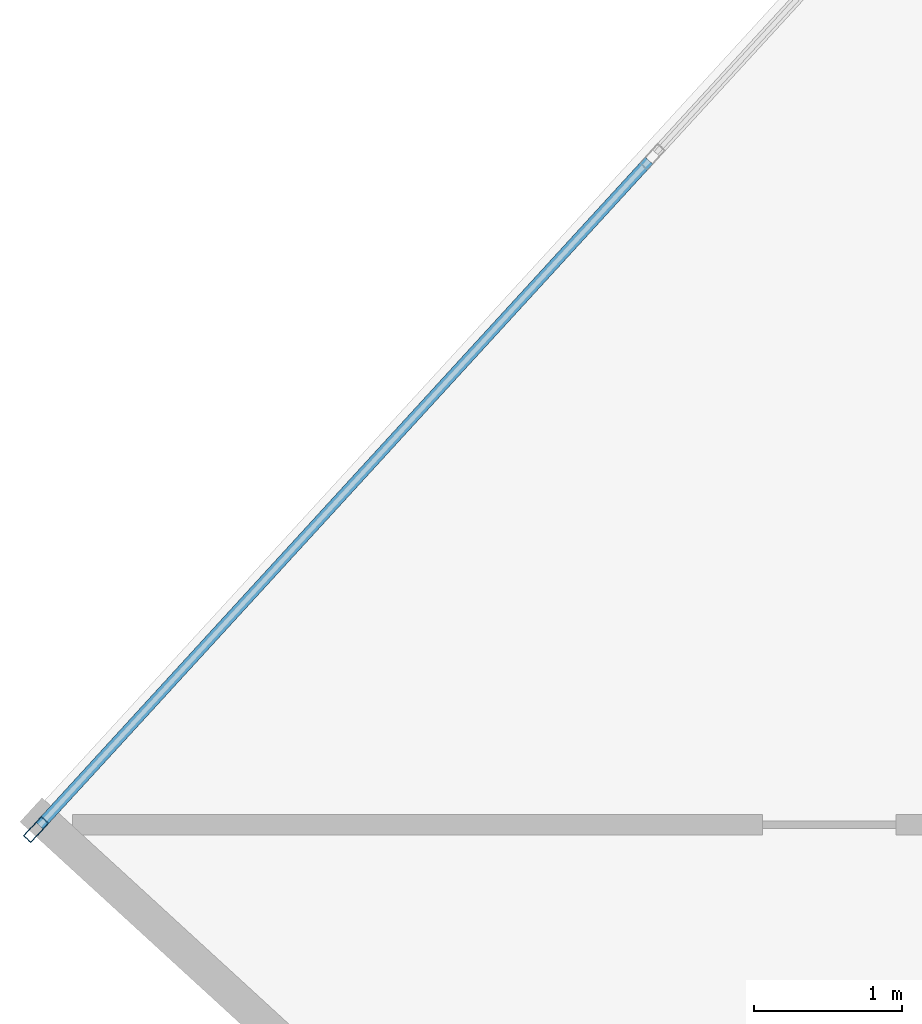
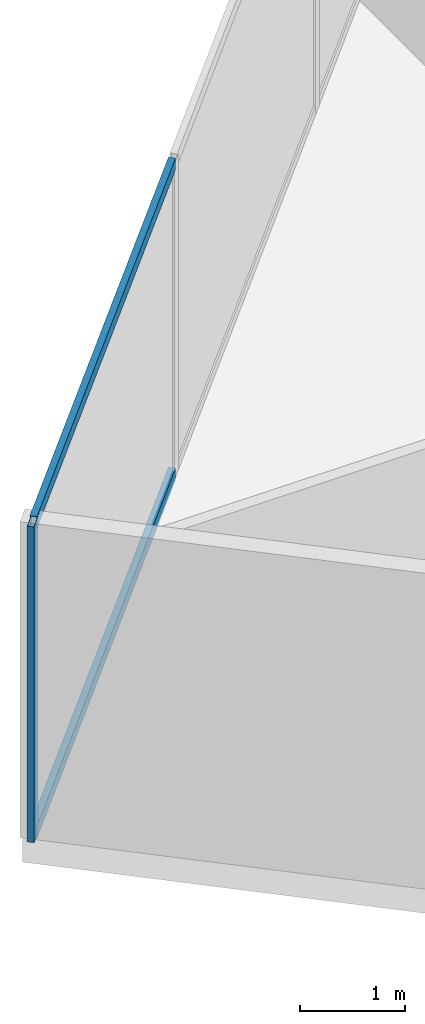
# One storey, part 8 of 26: 3 members, 1 element without a shape of its own.
"""IFC4 building model written with IfcOpenShell, lengths in metres."""

from ifc_helpers import new_model, si_unit, direction, frame, origin, origin_2d, place, context, subcontext, project, spatial, hollow_rectangle, extrude, source, transform, mapped, material, material_profile, profile_set, type_object, type_shapes, element, aggregate, save


model = new_model("IFC4")

# Units and contexts
model_context = context("Model", 3, precision=1e-05, world=origin(), true_north=direction((0.0, 1.0)))
body_context = subcontext(model_context, "Body", "Model", "MODEL_VIEW")
ifc_project = project(units=[si_unit("LENGTHUNIT", "METRE"), si_unit("AREAUNIT", "SQUARE_METRE"), si_unit("VOLUMEUNIT", "CUBIC_METRE"), si_unit("PLANEANGLEUNIT", "RADIAN"), si_unit("MASSUNIT", "GRAM", prefix="KILO")], contexts=[model_context])

# Site, building, storey
site_placement = place(None, origin())
site = spatial("IfcSite", under=ifc_project, at=site_placement, CompositionType="ELEMENT")
building_placement = place(site_placement, origin())
building = spatial("IfcBuilding", under=site, at=building_placement, Name="Krantzveldt Concourse Tower", CompositionType="ELEMENT")
storey_placement = place(building_placement, frame((0.0, 0.0, 223.10009765625)))
storey = spatial("IfcBuildingStorey", under=building, at=storey_placement, Name="L54", CompositionType="ELEMENT", Elevation=223.10009765625)

# Curtain wall, members
ifc_material = material(Name="Anodised aluminium 6063-T6", Category="aluminium")
curtain_wall_type = type_object("IfcCurtainWallType", Name="CW3", PredefinedType="USERDEFINED", material=ifc_material)
curtain_wall_placement = place(storey_placement, origin())
curtain_wall = element("IfcCurtainWall", 1, at=curtain_wall_placement, inside=storey, type_object=curtain_wall_type, Name="CW-L54-F01", ObjectType="UNITISED CURTAIN WALL", PredefinedType="USERDEFINED")
ifc_material_profile_1 = material_profile(ifc_material, hollow_rectangle(XDim=0.070068359375, YDim=0.179931640625, WallThickness=0.0048828125, at=origin_2d()), Name="Anodised aluminium 6063-T6", Category="aluminium")
ifc_profile_set_1 = profile_set([ifc_material_profile_1], Name="Anodised aluminium 6063-T6 - ALU-MULL 180x70x5")
member_type_1 = type_object("IfcMemberType", Name="CW-MUL-180", PredefinedType="MULLION", material=ifc_profile_set_1)
shared_shape_1 = source(origin(), body_context, "Body", "SweptSolid", [
    extrude(hollow_rectangle(XDim=0.070068359375, YDim=0.179931640625, WallThickness=0.0048828125, at=origin_2d()), origin(), (0.0, 0.0, 1.0), 3.669921875),
])
type_shapes(member_type_1, [shared_shape_1])
member_1_placement = place(storey_placement, frame((10.504150390625, 29.0869140625, 0.0), z_axis=(0.0, 0.0, 1.0), x_axis=(0.737277477893, -0.675590053651, 0.0)))
member_1 = element("IfcMember", 2, at=member_1_placement, type_object=member_type_1, Name="CW-Z34 mullion 6", PredefinedType="MULLION", context=body_context, shape_type="MappedRepresentation", body=[
    mapped(shared_shape_1, transform((0.0, 0.0, 0.0), x_axis=(1.0, 0.0, 0.0), y_axis=(0.0, 1.0, 0.0), z_axis=(0.0, 0.0, 1.0), scale=1.0)),
])
ifc_material_profile_2 = material_profile(ifc_material, hollow_rectangle(XDim=0.070068359375, YDim=0.139892578125, WallThickness=0.0048828125, at=origin_2d()), Name="Anodised aluminium 6063-T6", Category="aluminium")
ifc_profile_set_2 = profile_set([ifc_material_profile_2], Name="Anodised aluminium 6063-T6 - ALU-TRAN 140x70x5")
member_type_2 = type_object("IfcMemberType", Name="CW-TRN-150", PredefinedType="USERDEFINED", material=ifc_profile_set_2)
shared_shape_2 = source(origin(), body_context, "Body", "SweptSolid", [
    extrude(hollow_rectangle(XDim=0.070068359375, YDim=0.139892578125, WallThickness=0.0048828125, at=origin_2d()), origin(), (0.0, 0.0, 1.0), 6.094970703125),
])
type_shapes(member_type_2, [shared_shape_2])
member_2_placement = place(storey_placement, frame((14.6455078125, 33.606201171875, 0.034912109375), z_axis=(-0.675590390755, -0.737277168993, 0.0), x_axis=(0.737277168993, -0.675590390755, 0.0)))
member_2 = element("IfcMember", 3, at=member_2_placement, type_object=member_type_2, Name="CW-Z34 transom 5.1", ObjectType="TRANSOM", PredefinedType="USERDEFINED", context=body_context, shape_type="MappedRepresentation", body=[
    mapped(shared_shape_2, transform((0.0, 0.0, 0.0), x_axis=(1.0, 0.0, 0.0), y_axis=(0.0, 1.0, 0.0), z_axis=(0.0, 0.0, 1.0), scale=1.0)),
])
member_3_placement = place(storey_placement, frame((14.6455078125, 33.606201171875, 3.635009765625), z_axis=(-0.675590390755, -0.737277168993, 0.0), x_axis=(0.737277168993, -0.675590390755, 0.0)))
member_3 = element("IfcMember", 4, at=member_3_placement, type_object=member_type_2, Name="CW-Z34 transom 5.2", ObjectType="TRANSOM", PredefinedType="USERDEFINED", context=body_context, shape_type="MappedRepresentation", body=[
    mapped(shared_shape_2, transform((0.0, 0.0, 0.0), x_axis=(1.0, 0.0, 0.0), y_axis=(0.0, 1.0, 0.0), z_axis=(0.0, 0.0, 1.0), scale=1.0)),
])
aggregate(curtain_wall, [member_1, member_2, member_3])

save(model, "model.ifc")
